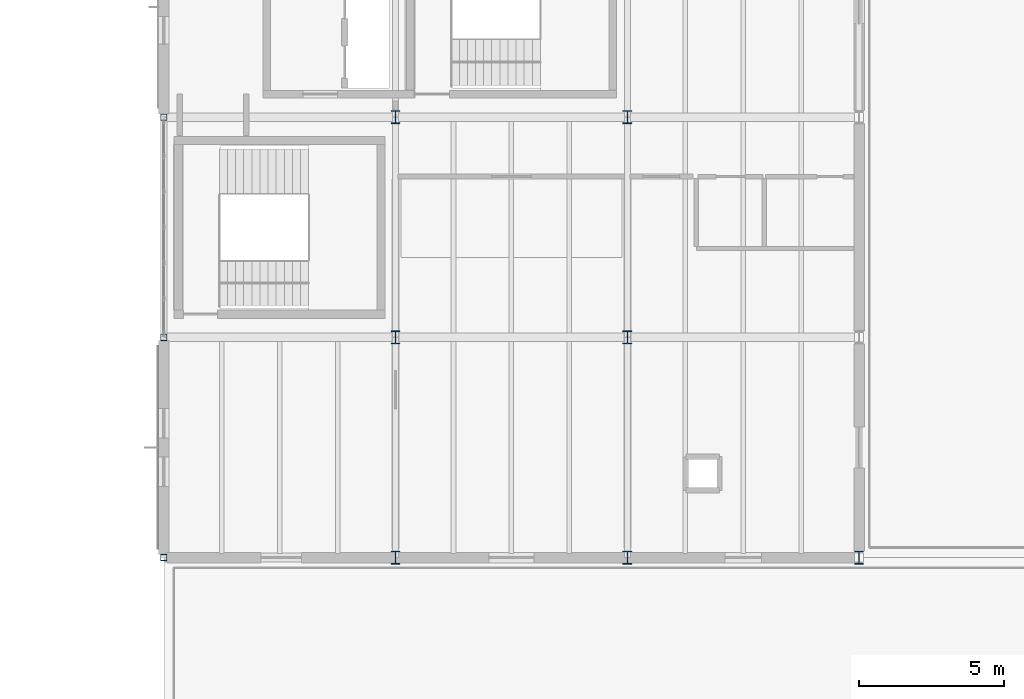
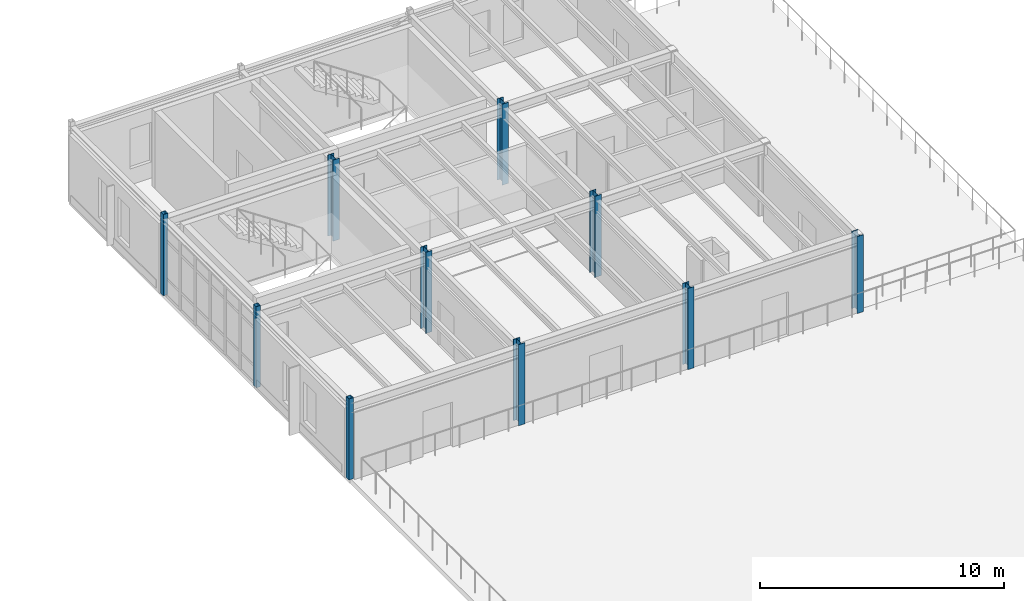
# One storey, part 16 of 114: 10 columns.
"""IFC4 building model written with IfcOpenShell, lengths in metres."""

from ifc_helpers import new_model, si_unit, direction, frame, origin, origin_2d, place, context, subcontext, project, spatial, hollow_rectangle, i_section, extrude, material, material_profile, profile_set, type_object, element, save


model = new_model("IFC4")

# Units and contexts
model_context = context("Model", 3, precision=1e-05, world=origin(), true_north=direction((0.0, 1.0)))
body_context = subcontext(model_context, "Body", "Model", "MODEL_VIEW")
ifc_project = project(units=[si_unit("LENGTHUNIT", "METRE"), si_unit("AREAUNIT", "SQUARE_METRE"), si_unit("VOLUMEUNIT", "CUBIC_METRE"), si_unit("PLANEANGLEUNIT", "RADIAN"), si_unit("MASSUNIT", "GRAM", prefix="KILO")], contexts=[model_context])

# Site, building, storey
site_placement = place(None, origin())
site = spatial("IfcSite", under=ifc_project, at=site_placement, CompositionType="ELEMENT")
building_placement = place(site_placement, origin())
building = spatial("IfcBuilding", under=site, at=building_placement, Name="Montecoro Central Library", CompositionType="ELEMENT")
storey_placement = place(building_placement, frame((0.0, 0.0, 13.260009765625)))
storey = spatial("IfcBuildingStorey", under=building, at=storey_placement, Name="L03", CompositionType="ELEMENT", Elevation=13.260009765625)

# Columns
ifc_material = material(Name="Steel S355", Category="steel")
ifc_material_profile_1 = material_profile(ifc_material, i_section(OverallWidth=0.300048828125, OverallDepth=0.449951171875, WebThickness=0.013916015625, FlangeThickness=0.02587890625, at=origin_2d()), Name="HEB 450")
ifc_profile_set_1 = profile_set([ifc_material_profile_1], Name="Steel S355")
column_type_1 = type_object("IfcColumnType", Name="COL-HEB450", PredefinedType="COLUMN", material=ifc_profile_set_1)
for number, where, z_axis, x_axis, name in (
    (1, (149.0, 96.199951171875, 0.0), (0.0, 0.0, 1.0), (1.0, 0.0, 0.0), "V5-L03-COL-19-N"),
    (2, (149.0, 103.800048828125, 0.0), (0.0, 0.0, 1.0), (1.0, 0.0, 0.0), "V5-L03-COL-19-P"),
    (3, (149.0, 111.39990234375, 0.0), (0.0, 0.0, 1.0), (1.0, 0.0, 0.0), "V5-L03-COL-19-Q"),
    (4, (157.0, 96.199951171875, 0.0), (0.0, 0.0, 1.0), (1.0, 0.0, 0.0), "V5-L03-COL-20-N"),
    (5, (157.0, 103.800048828125, 0.0), (0.0, 0.0, 1.0), (1.0, 0.0, 0.0), "V5-L03-COL-20-P"),
    (6, (157.0, 111.39990234375, 0.0), (0.0, 0.0, 1.0), (1.0, 0.0, 0.0), "V5-L03-COL-20-Q"),
):
    element("IfcColumn", number, at=place(storey_placement, frame(where, z_axis=z_axis, x_axis=x_axis)), inside=storey, type_object=column_type_1, Name=name, PredefinedType="COLUMN", context=body_context, shape_type="SweptSolid", body=[
        extrude(i_section(OverallWidth=0.300048828125, OverallDepth=0.449951171875, WebThickness=0.013916015625, FlangeThickness=0.02587890625, at=origin_2d()), origin(), (0.0, 0.0, 1.0), 4.054931640625),
    ])
column_placement = place(storey_placement, frame((165.0, 96.199951171875, 0.0), z_axis=(0.0, 0.0, 1.0), x_axis=(1.0, 0.0, 0.0)))
element("IfcColumn", 7, at=column_placement, inside=storey, type_object=column_type_1, Name="V5-L03-COL-21-N", PredefinedType="COLUMN", context=body_context, shape_type="SweptSolid", body=[
    extrude(i_section(OverallWidth=0.300048828125, OverallDepth=0.449951171875, WebThickness=0.013916015625, FlangeThickness=0.02587890625, at=origin_2d()), origin(), (0.0, 0.0, 1.0), 3.85009765625),
])
ifc_material_profile_2 = material_profile(ifc_material, hollow_rectangle(XDim=0.219970703125, YDim=0.219970703125, WallThickness=0.010009765625, at=origin_2d()), Name="SHS 220x220x10.0")
ifc_profile_set_2 = profile_set([ifc_material_profile_2], Name="Steel S355")
column_type_2 = type_object("IfcColumnType", Name="COL-SHS220", PredefinedType="COLUMN", material=ifc_profile_set_2)
for number, where, z_axis, x_axis, name in (
    (8, (141.0, 96.199951171875, 0.0), (0.0, 0.0, 1.0), (1.0, 0.0, 0.0), "V5-L03-COL-18-N"),
    (9, (141.0, 103.800048828125, 0.0), (0.0, 0.0, 1.0), (1.0, 0.0, 0.0), "V5-L03-COL-18-P"),
    (10, (141.0, 111.39990234375, 0.0), (0.0, 0.0, 1.0), (1.0, 0.0, 0.0), "V5-L03-COL-18-Q"),
):
    element("IfcColumn", number, at=place(storey_placement, frame(where, z_axis=z_axis, x_axis=x_axis)), inside=storey, type_object=column_type_2, Name=name, PredefinedType="COLUMN", context=body_context, shape_type="SweptSolid", body=[
        extrude(hollow_rectangle(XDim=0.219970703125, YDim=0.219970703125, WallThickness=0.010009765625, at=origin_2d()), origin(), (0.0, 0.0, 1.0), 4.054931640625),
    ])

save(model, "model.ifc")
